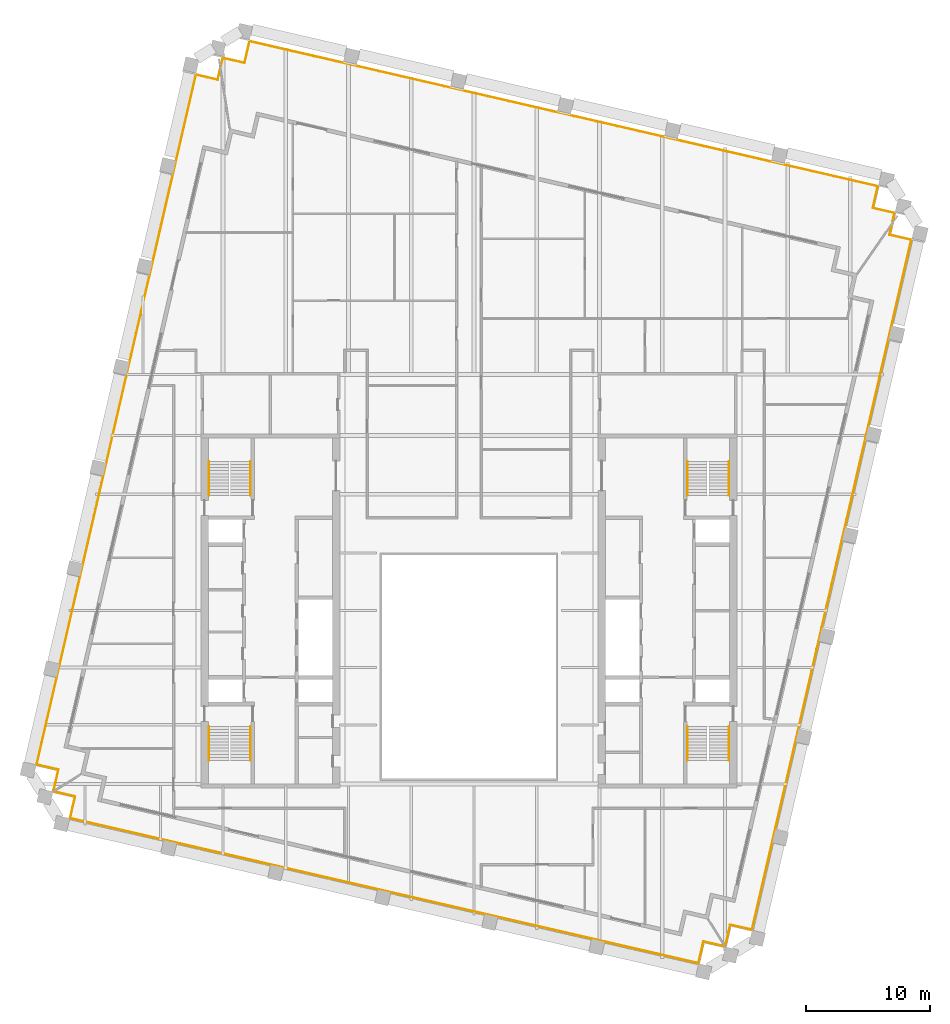
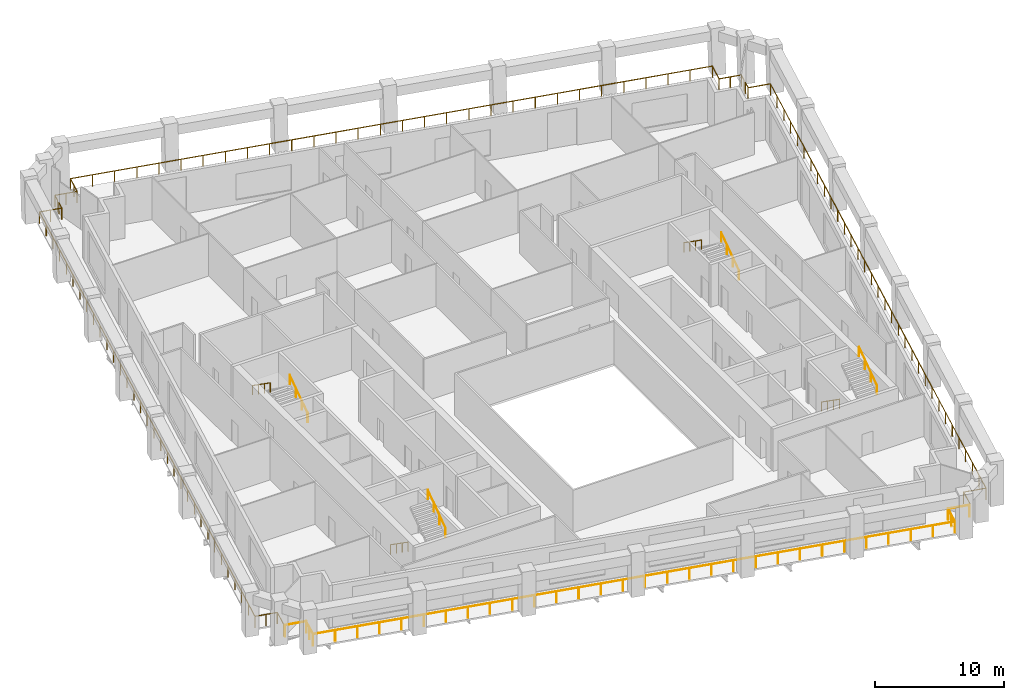
# One storey, part 9 of 9: 12 railings.
"""IFC4 building model written with IfcOpenShell, lengths in metres."""

from ifc_helpers import new_model, si_unit, direction, frame, origin, origin_2d, place, context, subcontext, project, spatial, circle, extrude, material, type_object, element, save


model = new_model("IFC4")

# Units and contexts
model_context = context("Model", 3, precision=1e-05, world=origin(), true_north=direction((0.0, 1.0)))
body_context = subcontext(model_context, "Body", "Model", "MODEL_VIEW")
ifc_project = project(units=[si_unit("LENGTHUNIT", "METRE"), si_unit("AREAUNIT", "SQUARE_METRE"), si_unit("VOLUMEUNIT", "CUBIC_METRE"), si_unit("PLANEANGLEUNIT", "RADIAN"), si_unit("MASSUNIT", "GRAM", prefix="KILO")], contexts=[model_context])

# Site, building, storey
site_placement = place(None, origin())
site = spatial("IfcSite", under=ifc_project, at=site_placement, CompositionType="ELEMENT")
building_placement = place(site_placement, origin())
building = spatial("IfcBuilding", under=site, at=building_placement, Name="Ogive Exchange Tower", CompositionType="ELEMENT")
storey_placement = place(building_placement, frame((0.0, 0.0, 276.60009765625)))
storey = spatial("IfcBuildingStorey", under=building, at=storey_placement, Name="L60", CompositionType="ELEMENT", Elevation=276.60009765625)

# Railings
ifc_material_1 = material(Name="Stainless steel 316", Category="steel")
railing_type_1 = type_object("IfcRailingType", Name="Guard 1100 stainless steel and glass", PredefinedType="GUARDRAIL", material=ifc_material_1)
railing_1_placement = place(storey_placement, frame((20.560546875, -15.527099609375, -0.050048828125)))
element("IfcRailing", 1, at=railing_1_placement, inside=storey, type_object=railing_type_1, Name="Loggia guard 1", PredefinedType="GUARDRAIL", context=body_context, shape_type="SweptSolid", body=[
    extrude(circle(Radius=0.02392578125, at=origin_2d()), frame((0.0, 0.0, 1.076171875), z_axis=(-0.974396013545, 0.224838628327, 0.0), x_axis=(-0.224838628327, -0.974396013545, 0.0)), (0.0, 0.0, 1.0), 1.7080078125),
    extrude(circle(Radius=0.02392578125, at=origin_2d()), frame((-1.664306640625, 0.384033203125, 1.076171875), z_axis=(-0.224879318197, -0.974386623598, 0.0), x_axis=(0.974386623598, -0.224879318197, 0.0)), (0.0, 0.0, 1.0), 1.800048828125),
    extrude(circle(Radius=0.02392578125, at=origin_2d()), frame((-2.069091796875, -1.369873046875, 1.076171875), z_axis=(-0.974370126852, 0.224950785504, 0.0), x_axis=(-0.224950785504, -0.974370126852, 0.0)), (0.0, 0.0, 1.0), 51.960205078125),
    extrude(circle(Radius=0.02392578125, at=origin_2d()), frame((-52.697509765625, 10.318603515625, 1.076171875), z_axis=(0.225008086135, 0.974356896201, 0.0), x_axis=(-0.974356896201, 0.225008086135, 0.0)), (0.0, 0.0, 1.0), 1.800048828125),
    extrude(circle(Radius=0.02392578125, at=origin_2d()), frame((-52.29248046875, 12.072509765625, 1.076171875), z_axis=(-0.974364690374, 0.224974332206, 0.0), x_axis=(-0.224974332206, -0.974364690374, 0.0)), (0.0, 0.0, 1.0), 1.7080078125),
    extrude(circle(Radius=0.02099609375, at=origin_2d()), origin(), (0.0, 0.0, 1.0), 1.052001953125),
    extrude(circle(Radius=0.02099609375, at=origin_2d()), frame((-1.664306640625, 0.384033203125, 0.0)), (0.0, 0.0, 1.0), 1.052001953125),
    extrude(circle(Radius=0.02099609375, at=origin_2d()), frame((-1.86669921875, -0.492919921875, 0.0)), (0.0, 0.0, 1.0), 1.052001953125),
    extrude(circle(Radius=0.02099609375, at=origin_2d()), frame((-2.069091796875, -1.369873046875, 0.0)), (0.0, 0.0, 1.0), 1.052001953125),
    extrude(circle(Radius=0.02099609375, at=origin_2d()), frame((-3.81494140625, -0.966796875, 0.0)), (0.0, 0.0, 1.0), 1.052001953125),
    extrude(circle(Radius=0.02099609375, at=origin_2d()), frame((-5.560791015625, -0.563720703125, 0.0)), (0.0, 0.0, 1.0), 1.052001953125),
    extrude(circle(Radius=0.02099609375, at=origin_2d()), frame((-7.306396484375, -0.16064453125, 0.0)), (0.0, 0.0, 1.0), 1.052001953125),
    extrude(circle(Radius=0.02099609375, at=origin_2d()), frame((-9.05224609375, 0.242431640625, 0.0)), (0.0, 0.0, 1.0), 1.052001953125),
    extrude(circle(Radius=0.02099609375, at=origin_2d()), frame((-10.798095703125, 0.645263671875, 0.0)), (0.0, 0.0, 1.0), 1.052001953125),
    extrude(circle(Radius=0.02099609375, at=origin_2d()), frame((-12.5439453125, 1.04833984375, 0.0)), (0.0, 0.0, 1.0), 1.052001953125),
    extrude(circle(Radius=0.02099609375, at=origin_2d()), frame((-14.289794921875, 1.451416015625, 0.0)), (0.0, 0.0, 1.0), 1.052001953125),
    extrude(circle(Radius=0.02099609375, at=origin_2d()), frame((-16.03564453125, 1.8544921875, 0.0)), (0.0, 0.0, 1.0), 1.052001953125),
    extrude(circle(Radius=0.02099609375, at=origin_2d()), frame((-17.78125, 2.257568359375, 0.0)), (0.0, 0.0, 1.0), 1.052001953125),
    extrude(circle(Radius=0.02099609375, at=origin_2d()), frame((-19.527099609375, 2.66064453125, 0.0)), (0.0, 0.0, 1.0), 1.052001953125),
    extrude(circle(Radius=0.02099609375, at=origin_2d()), frame((-21.27294921875, 3.063720703125, 0.0)), (0.0, 0.0, 1.0), 1.052001953125),
    extrude(circle(Radius=0.02099609375, at=origin_2d()), frame((-23.018798828125, 3.466796875, 0.0)), (0.0, 0.0, 1.0), 1.052001953125),
    extrude(circle(Radius=0.02099609375, at=origin_2d()), frame((-24.7646484375, 3.869873046875, 0.0)), (0.0, 0.0, 1.0), 1.052001953125),
    extrude(circle(Radius=0.02099609375, at=origin_2d()), frame((-26.510498046875, 4.27294921875, 0.0)), (0.0, 0.0, 1.0), 1.052001953125),
    extrude(circle(Radius=0.02099609375, at=origin_2d()), frame((-28.256103515625, 4.67578125, 0.0)), (0.0, 0.0, 1.0), 1.052001953125),
    extrude(circle(Radius=0.02099609375, at=origin_2d()), frame((-30.001953125, 5.078857421875, 0.0)), (0.0, 0.0, 1.0), 1.052001953125),
    extrude(circle(Radius=0.02099609375, at=origin_2d()), frame((-31.747802734375, 5.48193359375, 0.0)), (0.0, 0.0, 1.0), 1.052001953125),
    extrude(circle(Radius=0.02099609375, at=origin_2d()), frame((-33.49365234375, 5.885009765625, 0.0)), (0.0, 0.0, 1.0), 1.052001953125),
    extrude(circle(Radius=0.02099609375, at=origin_2d()), frame((-35.239501953125, 6.2880859375, 0.0)), (0.0, 0.0, 1.0), 1.052001953125),
    extrude(circle(Radius=0.02099609375, at=origin_2d()), frame((-36.9853515625, 6.691162109375, 0.0)), (0.0, 0.0, 1.0), 1.052001953125),
    extrude(circle(Radius=0.02099609375, at=origin_2d()), frame((-38.73095703125, 7.09423828125, 0.0)), (0.0, 0.0, 1.0), 1.052001953125),
    extrude(circle(Radius=0.02099609375, at=origin_2d()), frame((-40.476806640625, 7.497314453125, 0.0)), (0.0, 0.0, 1.0), 1.052001953125),
    extrude(circle(Radius=0.02099609375, at=origin_2d()), frame((-42.22265625, 7.900390625, 0.0)), (0.0, 0.0, 1.0), 1.052001953125),
    extrude(circle(Radius=0.02099609375, at=origin_2d()), frame((-43.968505859375, 8.303466796875, 0.0)), (0.0, 0.0, 1.0), 1.052001953125),
    extrude(circle(Radius=0.02099609375, at=origin_2d()), frame((-45.71435546875, 8.706298828125, 0.0)), (0.0, 0.0, 1.0), 1.052001953125),
    extrude(circle(Radius=0.02099609375, at=origin_2d()), frame((-47.460205078125, 9.109375, 0.0)), (0.0, 0.0, 1.0), 1.052001953125),
    extrude(circle(Radius=0.02099609375, at=origin_2d()), frame((-49.205810546875, 9.512451171875, 0.0)), (0.0, 0.0, 1.0), 1.052001953125),
    extrude(circle(Radius=0.02099609375, at=origin_2d()), frame((-50.95166015625, 9.91552734375, 0.0)), (0.0, 0.0, 1.0), 1.052001953125),
    extrude(circle(Radius=0.02099609375, at=origin_2d()), frame((-52.697509765625, 10.318603515625, 0.0)), (0.0, 0.0, 1.0), 1.052001953125),
    extrude(circle(Radius=0.02099609375, at=origin_2d()), frame((-52.4951171875, 11.195556640625, 0.0)), (0.0, 0.0, 1.0), 1.052001953125),
    extrude(circle(Radius=0.02099609375, at=origin_2d()), frame((-52.29248046875, 12.072509765625, 0.0)), (0.0, 0.0, 1.0), 1.052001953125),
    extrude(circle(Radius=0.02099609375, at=origin_2d()), frame((-53.956787109375, 12.456787109375, 0.0)), (0.0, 0.0, 1.0), 1.052001953125),
])
railing_2_placement = place(storey_placement, frame((-33.465087890625, -2.960205078125, -0.050048828125)))
element("IfcRailing", 2, at=railing_2_placement, inside=storey, type_object=railing_type_1, Name="Loggia guard 2", PredefinedType="GUARDRAIL", context=body_context, shape_type="SweptSolid", body=[
    extrude(circle(Radius=0.02392578125, at=origin_2d()), frame((0.0, 0.0, 1.076171875), z_axis=(0.224974332206, 0.974364690374, 0.0), x_axis=(-0.974364690374, 0.224974332206, 0.0)), (0.0, 0.0, 1.0), 1.7080078125),
    extrude(circle(Radius=0.02392578125, at=origin_2d()), frame((0.38427734375, 1.664306640625, 1.076171875), z_axis=(-0.974356896201, 0.225008086135, 0.0), x_axis=(-0.225008086135, -0.974356896201, 0.0)), (0.0, 0.0, 1.0), 1.800048828125),
    extrude(circle(Radius=0.02392578125, at=origin_2d()), frame((-1.36962890625, 2.0693359375, 1.076171875), z_axis=(0.224950439219, 0.974370206798, 0.0), x_axis=(-0.974370206798, 0.224950439219, 0.0)), (0.0, 0.0, 1.0), 57.06005859375),
    extrude(circle(Radius=0.02392578125, at=origin_2d()), frame((11.466064453125, 57.6669921875, 1.076171875), z_axis=(0.974356896201, -0.225008086135, 0.0), x_axis=(0.225008086135, 0.974356896201, 0.0)), (0.0, 0.0, 1.0), 1.800048828125),
    extrude(circle(Radius=0.02392578125, at=origin_2d()), frame((13.219970703125, 57.261962890625, 1.076171875), z_axis=(0.224813190674, 0.974401882849, 0.0), x_axis=(-0.974401882849, 0.224813190674, 0.0)), (0.0, 0.0, 1.0), 0.77001953125),
    extrude(circle(Radius=0.02099609375, at=origin_2d()), origin(), (0.0, 0.0, 1.0), 1.052001953125),
    extrude(circle(Radius=0.02099609375, at=origin_2d()), frame((0.38427734375, 1.664306640625, 0.0)), (0.0, 0.0, 1.0), 1.052001953125),
    extrude(circle(Radius=0.02099609375, at=origin_2d()), frame((-0.49267578125, 1.86669921875, 0.0)), (0.0, 0.0, 1.0), 1.052001953125),
    extrude(circle(Radius=0.02099609375, at=origin_2d()), frame((-1.36962890625, 2.0693359375, 0.0)), (0.0, 0.0, 1.0), 1.052001953125),
    extrude(circle(Radius=0.02099609375, at=origin_2d()), frame((-0.968505859375, 3.806640625, 0.0)), (0.0, 0.0, 1.0), 1.052001953125),
    extrude(circle(Radius=0.02099609375, at=origin_2d()), frame((-0.5673828125, 5.544189453125, 0.0)), (0.0, 0.0, 1.0), 1.052001953125),
    extrude(circle(Radius=0.02099609375, at=origin_2d()), frame((-0.166259765625, 7.28173828125, 0.0)), (0.0, 0.0, 1.0), 1.052001953125),
    extrude(circle(Radius=0.02099609375, at=origin_2d()), frame((0.23486328125, 9.01904296875, 0.0)), (0.0, 0.0, 1.0), 1.052001953125),
    extrude(circle(Radius=0.02099609375, at=origin_2d()), frame((0.635986328125, 10.75634765625, 0.0)), (0.0, 0.0, 1.0), 1.052001953125),
    extrude(circle(Radius=0.02099609375, at=origin_2d()), frame((1.037109375, 12.493896484375, 0.0)), (0.0, 0.0, 1.0), 1.052001953125),
    extrude(circle(Radius=0.02099609375, at=origin_2d()), frame((1.438232421875, 14.2314453125, 0.0)), (0.0, 0.0, 1.0), 1.052001953125),
    extrude(circle(Radius=0.02099609375, at=origin_2d()), frame((1.83935546875, 15.96875, 0.0)), (0.0, 0.0, 1.0), 1.052001953125),
    extrude(circle(Radius=0.02099609375, at=origin_2d()), frame((2.240478515625, 17.7060546875, 0.0)), (0.0, 0.0, 1.0), 1.052001953125),
    extrude(circle(Radius=0.02099609375, at=origin_2d()), frame((2.6416015625, 19.443603515625, 0.0)), (0.0, 0.0, 1.0), 1.052001953125),
    extrude(circle(Radius=0.02099609375, at=origin_2d()), frame((3.042724609375, 21.18115234375, 0.0)), (0.0, 0.0, 1.0), 1.052001953125),
    extrude(circle(Radius=0.02099609375, at=origin_2d()), frame((3.44384765625, 22.91845703125, 0.0)), (0.0, 0.0, 1.0), 1.052001953125),
    extrude(circle(Radius=0.02099609375, at=origin_2d()), frame((3.844970703125, 24.65576171875, 0.0)), (0.0, 0.0, 1.0), 1.052001953125),
    extrude(circle(Radius=0.02099609375, at=origin_2d()), frame((4.24609375, 26.393310546875, 0.0)), (0.0, 0.0, 1.0), 1.052001953125),
    extrude(circle(Radius=0.02099609375, at=origin_2d()), frame((4.647216796875, 28.130859375, 0.0)), (0.0, 0.0, 1.0), 1.052001953125),
    extrude(circle(Radius=0.02099609375, at=origin_2d()), frame((5.04833984375, 29.8681640625, 0.0)), (0.0, 0.0, 1.0), 1.052001953125),
    extrude(circle(Radius=0.02099609375, at=origin_2d()), frame((5.44921875, 31.60546875, 0.0)), (0.0, 0.0, 1.0), 1.052001953125),
    extrude(circle(Radius=0.02099609375, at=origin_2d()), frame((5.850341796875, 33.343017578125, 0.0)), (0.0, 0.0, 1.0), 1.052001953125),
    extrude(circle(Radius=0.02099609375, at=origin_2d()), frame((6.25146484375, 35.08056640625, 0.0)), (0.0, 0.0, 1.0), 1.052001953125),
    extrude(circle(Radius=0.02099609375, at=origin_2d()), frame((6.652587890625, 36.81787109375, 0.0)), (0.0, 0.0, 1.0), 1.052001953125),
    extrude(circle(Radius=0.02099609375, at=origin_2d()), frame((7.0537109375, 38.55517578125, 0.0)), (0.0, 0.0, 1.0), 1.052001953125),
    extrude(circle(Radius=0.02099609375, at=origin_2d()), frame((7.454833984375, 40.292724609375, 0.0)), (0.0, 0.0, 1.0), 1.052001953125),
    extrude(circle(Radius=0.02099609375, at=origin_2d()), frame((7.85595703125, 42.0302734375, 0.0)), (0.0, 0.0, 1.0), 1.052001953125),
    extrude(circle(Radius=0.02099609375, at=origin_2d()), frame((8.257080078125, 43.767578125, 0.0)), (0.0, 0.0, 1.0), 1.052001953125),
    extrude(circle(Radius=0.02099609375, at=origin_2d()), frame((8.658203125, 45.5048828125, 0.0)), (0.0, 0.0, 1.0), 1.052001953125),
    extrude(circle(Radius=0.02099609375, at=origin_2d()), frame((9.059326171875, 47.242431640625, 0.0)), (0.0, 0.0, 1.0), 1.052001953125),
    extrude(circle(Radius=0.02099609375, at=origin_2d()), frame((9.46044921875, 48.97998046875, 0.0)), (0.0, 0.0, 1.0), 1.052001953125),
    extrude(circle(Radius=0.02099609375, at=origin_2d()), frame((9.861572265625, 50.71728515625, 0.0)), (0.0, 0.0, 1.0), 1.052001953125),
    extrude(circle(Radius=0.02099609375, at=origin_2d()), frame((10.2626953125, 52.45458984375, 0.0)), (0.0, 0.0, 1.0), 1.052001953125),
    extrude(circle(Radius=0.02099609375, at=origin_2d()), frame((10.663818359375, 54.192138671875, 0.0)), (0.0, 0.0, 1.0), 1.052001953125),
    extrude(circle(Radius=0.02099609375, at=origin_2d()), frame((11.06494140625, 55.9296875, 0.0)), (0.0, 0.0, 1.0), 1.052001953125),
    extrude(circle(Radius=0.02099609375, at=origin_2d()), frame((11.466064453125, 57.6669921875, 0.0)), (0.0, 0.0, 1.0), 1.052001953125),
    extrude(circle(Radius=0.02099609375, at=origin_2d()), frame((12.343017578125, 57.46435546875, 0.0)), (0.0, 0.0, 1.0), 1.052001953125),
    extrude(circle(Radius=0.02099609375, at=origin_2d()), frame((13.219970703125, 57.261962890625, 0.0)), (0.0, 0.0, 1.0), 1.052001953125),
    extrude(circle(Radius=0.02099609375, at=origin_2d()), frame((13.39306640625, 58.01220703125, 0.0)), (0.0, 0.0, 1.0), 1.052001953125),
])
railing_3_placement = place(storey_placement, frame((-19.993408203125, 55.39306640625, -0.050048828125)))
element("IfcRailing", 3, at=railing_3_placement, inside=storey, type_object=railing_type_1, Name="Loggia guard 3", PredefinedType="GUARDRAIL", context=body_context, shape_type="SweptSolid", body=[
    extrude(circle(Radius=0.02392578125, at=origin_2d()), frame((0.0, 0.0, 1.076171875), z_axis=(0.225095474609, 0.974336711466, 0.0), x_axis=(-0.974336711466, 0.225095474609, 0.0)), (0.0, 0.0, 1.0), 0.679931640625),
    extrude(circle(Radius=0.02392578125, at=origin_2d()), frame((0.153076171875, 0.66259765625, 1.076171875), z_axis=(0.974356896201, -0.225008086135, 0.0), x_axis=(0.225008086135, 0.974356896201, 0.0)), (0.0, 0.0, 1.0), 1.800048828125),
    extrude(circle(Radius=0.02392578125, at=origin_2d()), frame((1.906982421875, 0.257568359375, 1.076171875), z_axis=(0.225008086135, 0.974356896201, 0.0), x_axis=(-0.974356896201, 0.225008086135, 0.0)), (0.0, 0.0, 1.0), 1.800048828125),
    extrude(circle(Radius=0.02392578125, at=origin_2d()), frame((2.31201171875, 2.011474609375, 1.076171875), z_axis=(0.974369889087, -0.224951815376, 0.0), x_axis=(0.224951815376, 0.974369889087, 0.0)), (0.0, 0.0, 1.0), 51.9599609375),
    extrude(circle(Radius=0.02392578125, at=origin_2d()), frame((52.940185546875, -9.677001953125, 1.076171875), z_axis=(-0.22503782496, -0.974350028141, 0.0), x_axis=(0.974350028141, -0.22503782496, 0.0)), (0.0, 0.0, 1.0), 1.7998046875),
    extrude(circle(Radius=0.02392578125, at=origin_2d()), frame((52.53515625, -11.4306640625, 1.076171875), z_axis=(0.974356896201, -0.225008086135, 0.0), x_axis=(0.225008086135, 0.974356896201, 0.0)), (0.0, 0.0, 1.0), 1.800048828125),
    extrude(circle(Radius=0.02392578125, at=origin_2d()), frame((54.2890625, -11.835693359375, 1.076171875), z_axis=(-0.225095474609, -0.974336711466, 0.0), x_axis=(0.974336711466, -0.225095474609, 0.0)), (0.0, 0.0, 1.0), 0.679931640625),
    extrude(circle(Radius=0.02099609375, at=origin_2d()), origin(), (0.0, 0.0, 1.0), 1.052001953125),
    extrude(circle(Radius=0.02099609375, at=origin_2d()), frame((0.153076171875, 0.66259765625, 0.0)), (0.0, 0.0, 1.0), 1.052001953125),
    extrude(circle(Radius=0.02099609375, at=origin_2d()), frame((1.030029296875, 0.4599609375, 0.0)), (0.0, 0.0, 1.0), 1.052001953125),
    extrude(circle(Radius=0.02099609375, at=origin_2d()), frame((1.906982421875, 0.257568359375, 0.0)), (0.0, 0.0, 1.0), 1.052001953125),
    extrude(circle(Radius=0.02099609375, at=origin_2d()), frame((2.109375, 1.134521484375, 0.0)), (0.0, 0.0, 1.0), 1.052001953125),
    extrude(circle(Radius=0.02099609375, at=origin_2d()), frame((2.31201171875, 2.011474609375, 0.0)), (0.0, 0.0, 1.0), 1.052001953125),
    extrude(circle(Radius=0.02099609375, at=origin_2d()), frame((4.057861328125, 1.6083984375, 0.0)), (0.0, 0.0, 1.0), 1.052001953125),
    extrude(circle(Radius=0.02099609375, at=origin_2d()), frame((5.8037109375, 1.205322265625, 0.0)), (0.0, 0.0, 1.0), 1.052001953125),
    extrude(circle(Radius=0.02099609375, at=origin_2d()), frame((7.54931640625, 0.80224609375, 0.0)), (0.0, 0.0, 1.0), 1.052001953125),
    extrude(circle(Radius=0.02099609375, at=origin_2d()), frame((9.295166015625, 0.399169921875, 0.0)), (0.0, 0.0, 1.0), 1.052001953125),
    extrude(circle(Radius=0.02099609375, at=origin_2d()), frame((11.041015625, -0.003662109375, 0.0)), (0.0, 0.0, 1.0), 1.052001953125),
    extrude(circle(Radius=0.02099609375, at=origin_2d()), frame((12.786865234375, -0.40673828125, 0.0)), (0.0, 0.0, 1.0), 1.052001953125),
    extrude(circle(Radius=0.02099609375, at=origin_2d()), frame((14.53271484375, -0.809814453125, 0.0)), (0.0, 0.0, 1.0), 1.052001953125),
    extrude(circle(Radius=0.02099609375, at=origin_2d()), frame((16.2783203125, -1.212890625, 0.0)), (0.0, 0.0, 1.0), 1.052001953125),
    extrude(circle(Radius=0.02099609375, at=origin_2d()), frame((18.024169921875, -1.615966796875, 0.0)), (0.0, 0.0, 1.0), 1.052001953125),
    extrude(circle(Radius=0.02099609375, at=origin_2d()), frame((19.77001953125, -2.01904296875, 0.0)), (0.0, 0.0, 1.0), 1.052001953125),
    extrude(circle(Radius=0.02099609375, at=origin_2d()), frame((21.515869140625, -2.422119140625, 0.0)), (0.0, 0.0, 1.0), 1.052001953125),
    extrude(circle(Radius=0.02099609375, at=origin_2d()), frame((23.26171875, -2.8251953125, 0.0)), (0.0, 0.0, 1.0), 1.052001953125),
    extrude(circle(Radius=0.02099609375, at=origin_2d()), frame((25.00732421875, -3.228271484375, 0.0)), (0.0, 0.0, 1.0), 1.052001953125),
    extrude(circle(Radius=0.02099609375, at=origin_2d()), frame((26.753173828125, -3.63134765625, 0.0)), (0.0, 0.0, 1.0), 1.052001953125),
    extrude(circle(Radius=0.02099609375, at=origin_2d()), frame((28.4990234375, -4.0341796875, 0.0)), (0.0, 0.0, 1.0), 1.052001953125),
    extrude(circle(Radius=0.02099609375, at=origin_2d()), frame((30.244873046875, -4.437255859375, 0.0)), (0.0, 0.0, 1.0), 1.052001953125),
    extrude(circle(Radius=0.02099609375, at=origin_2d()), frame((31.990478515625, -4.84033203125, 0.0)), (0.0, 0.0, 1.0), 1.052001953125),
    extrude(circle(Radius=0.02099609375, at=origin_2d()), frame((33.736328125, -5.243408203125, 0.0)), (0.0, 0.0, 1.0), 1.052001953125),
    extrude(circle(Radius=0.02099609375, at=origin_2d()), frame((35.482177734375, -5.646484375, 0.0)), (0.0, 0.0, 1.0), 1.052001953125),
    extrude(circle(Radius=0.02099609375, at=origin_2d()), frame((37.22802734375, -6.049560546875, 0.0)), (0.0, 0.0, 1.0), 1.052001953125),
    extrude(circle(Radius=0.02099609375, at=origin_2d()), frame((38.973876953125, -6.45263671875, 0.0)), (0.0, 0.0, 1.0), 1.052001953125),
    extrude(circle(Radius=0.02099609375, at=origin_2d()), frame((40.719482421875, -6.855712890625, 0.0)), (0.0, 0.0, 1.0), 1.052001953125),
    extrude(circle(Radius=0.02099609375, at=origin_2d()), frame((42.46533203125, -7.2587890625, 0.0)), (0.0, 0.0, 1.0), 1.052001953125),
    extrude(circle(Radius=0.02099609375, at=origin_2d()), frame((44.211181640625, -7.661865234375, 0.0)), (0.0, 0.0, 1.0), 1.052001953125),
    extrude(circle(Radius=0.02099609375, at=origin_2d()), frame((45.95703125, -8.064697265625, 0.0)), (0.0, 0.0, 1.0), 1.052001953125),
    extrude(circle(Radius=0.02099609375, at=origin_2d()), frame((47.702880859375, -8.4677734375, 0.0)), (0.0, 0.0, 1.0), 1.052001953125),
    extrude(circle(Radius=0.02099609375, at=origin_2d()), frame((49.448486328125, -8.870849609375, 0.0)), (0.0, 0.0, 1.0), 1.052001953125),
    extrude(circle(Radius=0.02099609375, at=origin_2d()), frame((51.1943359375, -9.27392578125, 0.0)), (0.0, 0.0, 1.0), 1.052001953125),
    extrude(circle(Radius=0.02099609375, at=origin_2d()), frame((52.940185546875, -9.677001953125, 0.0)), (0.0, 0.0, 1.0), 1.052001953125),
    extrude(circle(Radius=0.02099609375, at=origin_2d()), frame((52.53515625, -11.4306640625, 0.0)), (0.0, 0.0, 1.0), 1.052001953125),
    extrude(circle(Radius=0.02099609375, at=origin_2d()), frame((53.412109375, -11.63330078125, 0.0)), (0.0, 0.0, 1.0), 1.052001953125),
    extrude(circle(Radius=0.02099609375, at=origin_2d()), frame((54.2890625, -11.835693359375, 0.0)), (0.0, 0.0, 1.0), 1.052001953125),
    extrude(circle(Radius=0.02099609375, at=origin_2d()), frame((54.135986328125, -12.498291015625, 0.0)), (0.0, 0.0, 1.0), 1.052001953125),
])
railing_4_placement = place(storey_placement, frame((34.06396484375, 42.5537109375, -0.050048828125)))
element("IfcRailing", 4, at=railing_4_placement, inside=storey, type_object=railing_type_1, Name="Loggia guard 4", PredefinedType="GUARDRAIL", context=body_context, shape_type="SweptSolid", body=[
    extrude(circle(Radius=0.02392578125, at=origin_2d()), frame((0.0, 0.0, 1.076171875), z_axis=(-0.224813190674, -0.974401882849, 0.0), x_axis=(0.974401882849, -0.224813190674, 0.0)), (0.0, 0.0, 1.0), 0.77001953125),
    extrude(circle(Radius=0.02392578125, at=origin_2d()), frame((-0.173095703125, -0.750244140625, 1.076171875), z_axis=(0.974379763188, -0.224909041816, 0.0), x_axis=(0.224909041816, 0.974379763188, 0.0)), (0.0, 0.0, 1.0), 1.7998046875),
    extrude(circle(Radius=0.02392578125, at=origin_2d()), frame((1.58056640625, -1.155029296875, 1.076171875), z_axis=(-0.224950439219, -0.974370206798, 0.0), x_axis=(0.974370206798, -0.224950439219, 0.0)), (0.0, 0.0, 1.0), 57.06005859375),
    extrude(circle(Radius=0.02392578125, at=origin_2d()), frame((-11.255126953125, -56.752685546875, 1.076171875), z_axis=(-0.974379763188, 0.224909041816, 0.0), x_axis=(-0.224909041816, -0.974379763188, 0.0)), (0.0, 0.0, 1.0), 1.7998046875),
    extrude(circle(Radius=0.02392578125, at=origin_2d()), frame((-13.0087890625, -56.347900390625, 1.076171875), z_axis=(-0.224974332206, -0.974364690374, 0.0), x_axis=(0.974364690374, -0.224974332206, 0.0)), (0.0, 0.0, 1.0), 1.7080078125),
    extrude(circle(Radius=0.02099609375, at=origin_2d()), origin(), (0.0, 0.0, 1.0), 1.052001953125),
    extrude(circle(Radius=0.02099609375, at=origin_2d()), frame((-0.173095703125, -0.750244140625, 0.0)), (0.0, 0.0, 1.0), 1.052001953125),
    extrude(circle(Radius=0.02099609375, at=origin_2d()), frame((1.58056640625, -1.155029296875, 0.0)), (0.0, 0.0, 1.0), 1.052001953125),
    extrude(circle(Radius=0.02099609375, at=origin_2d()), frame((1.179443359375, -2.892578125, 0.0)), (0.0, 0.0, 1.0), 1.052001953125),
    extrude(circle(Radius=0.02099609375, at=origin_2d()), frame((0.7783203125, -4.6298828125, 0.0)), (0.0, 0.0, 1.0), 1.052001953125),
    extrude(circle(Radius=0.02099609375, at=origin_2d()), frame((0.377197265625, -6.3671875, 0.0)), (0.0, 0.0, 1.0), 1.052001953125),
    extrude(circle(Radius=0.02099609375, at=origin_2d()), frame((-0.02392578125, -8.104736328125, 0.0)), (0.0, 0.0, 1.0), 1.052001953125),
    extrude(circle(Radius=0.02099609375, at=origin_2d()), frame((-0.425048828125, -9.84228515625, 0.0)), (0.0, 0.0, 1.0), 1.052001953125),
    extrude(circle(Radius=0.02099609375, at=origin_2d()), frame((-0.826171875, -11.57958984375, 0.0)), (0.0, 0.0, 1.0), 1.052001953125),
    extrude(circle(Radius=0.02099609375, at=origin_2d()), frame((-1.227294921875, -13.31689453125, 0.0)), (0.0, 0.0, 1.0), 1.052001953125),
    extrude(circle(Radius=0.02099609375, at=origin_2d()), frame((-1.62841796875, -15.054443359375, 0.0)), (0.0, 0.0, 1.0), 1.052001953125),
    extrude(circle(Radius=0.02099609375, at=origin_2d()), frame((-2.029541015625, -16.7919921875, 0.0)), (0.0, 0.0, 1.0), 1.052001953125),
    extrude(circle(Radius=0.02099609375, at=origin_2d()), frame((-2.4306640625, -18.529296875, 0.0)), (0.0, 0.0, 1.0), 1.052001953125),
    extrude(circle(Radius=0.02099609375, at=origin_2d()), frame((-2.831787109375, -20.2666015625, 0.0)), (0.0, 0.0, 1.0), 1.052001953125),
    extrude(circle(Radius=0.02099609375, at=origin_2d()), frame((-3.23291015625, -22.004150390625, 0.0)), (0.0, 0.0, 1.0), 1.052001953125),
    extrude(circle(Radius=0.02099609375, at=origin_2d()), frame((-3.634033203125, -23.74169921875, 0.0)), (0.0, 0.0, 1.0), 1.052001953125),
    extrude(circle(Radius=0.02099609375, at=origin_2d()), frame((-4.03515625, -25.47900390625, 0.0)), (0.0, 0.0, 1.0), 1.052001953125),
    extrude(circle(Radius=0.02099609375, at=origin_2d()), frame((-4.436279296875, -27.21630859375, 0.0)), (0.0, 0.0, 1.0), 1.052001953125),
    extrude(circle(Radius=0.02099609375, at=origin_2d()), frame((-4.83740234375, -28.953857421875, 0.0)), (0.0, 0.0, 1.0), 1.052001953125),
    extrude(circle(Radius=0.02099609375, at=origin_2d()), frame((-5.23828125, -30.69140625, 0.0)), (0.0, 0.0, 1.0), 1.052001953125),
    extrude(circle(Radius=0.02099609375, at=origin_2d()), frame((-5.639404296875, -32.4287109375, 0.0)), (0.0, 0.0, 1.0), 1.052001953125),
    extrude(circle(Radius=0.02099609375, at=origin_2d()), frame((-6.04052734375, -34.166015625, 0.0)), (0.0, 0.0, 1.0), 1.052001953125),
    extrude(circle(Radius=0.02099609375, at=origin_2d()), frame((-6.441650390625, -35.903564453125, 0.0)), (0.0, 0.0, 1.0), 1.052001953125),
    extrude(circle(Radius=0.02099609375, at=origin_2d()), frame((-6.8427734375, -37.64111328125, 0.0)), (0.0, 0.0, 1.0), 1.052001953125),
    extrude(circle(Radius=0.02099609375, at=origin_2d()), frame((-7.243896484375, -39.37841796875, 0.0)), (0.0, 0.0, 1.0), 1.052001953125),
    extrude(circle(Radius=0.02099609375, at=origin_2d()), frame((-7.64501953125, -41.11572265625, 0.0)), (0.0, 0.0, 1.0), 1.052001953125),
    extrude(circle(Radius=0.02099609375, at=origin_2d()), frame((-8.046142578125, -42.853271484375, 0.0)), (0.0, 0.0, 1.0), 1.052001953125),
    extrude(circle(Radius=0.02099609375, at=origin_2d()), frame((-8.447265625, -44.5908203125, 0.0)), (0.0, 0.0, 1.0), 1.052001953125),
    extrude(circle(Radius=0.02099609375, at=origin_2d()), frame((-8.848388671875, -46.328125, 0.0)), (0.0, 0.0, 1.0), 1.052001953125),
    extrude(circle(Radius=0.02099609375, at=origin_2d()), frame((-9.24951171875, -48.0654296875, 0.0)), (0.0, 0.0, 1.0), 1.052001953125),
    extrude(circle(Radius=0.02099609375, at=origin_2d()), frame((-9.650634765625, -49.802978515625, 0.0)), (0.0, 0.0, 1.0), 1.052001953125),
    extrude(circle(Radius=0.02099609375, at=origin_2d()), frame((-10.0517578125, -51.54052734375, 0.0)), (0.0, 0.0, 1.0), 1.052001953125),
    extrude(circle(Radius=0.02099609375, at=origin_2d()), frame((-10.452880859375, -53.27783203125, 0.0)), (0.0, 0.0, 1.0), 1.052001953125),
    extrude(circle(Radius=0.02099609375, at=origin_2d()), frame((-10.85400390625, -55.01513671875, 0.0)), (0.0, 0.0, 1.0), 1.052001953125),
    extrude(circle(Radius=0.02099609375, at=origin_2d()), frame((-11.255126953125, -56.752685546875, 0.0)), (0.0, 0.0, 1.0), 1.052001953125),
    extrude(circle(Radius=0.02099609375, at=origin_2d()), frame((-13.0087890625, -56.347900390625, 0.0)), (0.0, 0.0, 1.0), 1.052001953125),
    extrude(circle(Radius=0.02099609375, at=origin_2d()), frame((-13.39306640625, -58.01220703125, 0.0)), (0.0, 0.0, 1.0), 1.052001953125),
])
ifc_material_2 = material(Name="Stainless steel", Category="steel")
railing_type_2 = type_object("IfcRailingType", Name="Stair handrail 900", PredefinedType="HANDRAIL", material=ifc_material_2)
railing_5_placement = place(storey_placement, frame((-20.949951171875, 2.199951171875, 0.1748046875)))
element("IfcRailing", 5, at=railing_5_placement, inside=storey, type_object=railing_type_2, Name="L60 ST1 stair handrail 1", PredefinedType="HANDRAIL", context=body_context, shape_type="SweptSolid", body=[
    extrude(circle(Radius=0.02392578125, at=origin_2d()), frame((0.0, 0.0, 0.8759765625), z_axis=(0.0, -0.819225086817, 0.573472106672), x_axis=(1.0, 0.0, 0.0)), (0.0, 0.0, 1.0), 3.35693359375),
    extrude(circle(Radius=0.02099609375, at=origin_2d()), origin(), (0.0, 0.0, 1.0), 0.851806640625),
    extrude(circle(Radius=0.02099609375, at=origin_2d()), frame((0.0, -0.916748046875, 0.6416015625)), (0.0, 0.0, 1.0), 0.851806640625),
    extrude(circle(Radius=0.02099609375, at=origin_2d()), frame((0.0, -1.833251953125, 1.283447265625)), (0.0, 0.0, 1.0), 0.851806640625),
    extrude(circle(Radius=0.02099609375, at=origin_2d()), frame((0.0, -2.75, 1.925048828125)), (0.0, 0.0, 1.0), 0.851806640625),
])
for number, where, name in (
    (6, (-17.60009765625, -0.550048828125, 2.27490234375), "L60 ST1 stair handrail 2"),
    (7, (-17.60009765625, 20.800048828125, 0.1748046875), "L60 ST2 stair handrail 1"),
):
    element("IfcRailing", number, at=place(storey_placement, frame(where)), inside=storey, type_object=railing_type_2, Name=name, PredefinedType="HANDRAIL", context=body_context, shape_type="SweptSolid", body=[
        extrude(circle(Radius=0.02392578125, at=origin_2d()), frame((0.0, 0.0, 0.8759765625), z_axis=(0.0, 0.819225086817, 0.573472106672), x_axis=(-1.0, 0.0, 0.0)), (0.0, 0.0, 1.0), 3.35693359375),
        extrude(circle(Radius=0.02099609375, at=origin_2d()), origin(), (0.0, 0.0, 1.0), 0.851806640625),
        extrude(circle(Radius=0.02099609375, at=origin_2d()), frame((0.0, 0.916748046875, 0.6416015625)), (0.0, 0.0, 1.0), 0.851806640625),
        extrude(circle(Radius=0.02099609375, at=origin_2d()), frame((0.0, 1.833251953125, 1.283447265625)), (0.0, 0.0, 1.0), 0.851806640625),
        extrude(circle(Radius=0.02099609375, at=origin_2d()), frame((0.0, 2.75, 1.925048828125)), (0.0, 0.0, 1.0), 0.851806640625),
    ])
for number, where, name in (
    (8, (-20.949951171875, 23.550048828125, 2.27490234375), "L60 ST2 stair handrail 2"),
    (9, (17.60009765625, 2.199951171875, 0.1748046875), "L60 ST3 stair handrail 1"),
):
    element("IfcRailing", number, at=place(storey_placement, frame(where)), inside=storey, type_object=railing_type_2, Name=name, PredefinedType="HANDRAIL", context=body_context, shape_type="SweptSolid", body=[
        extrude(circle(Radius=0.02392578125, at=origin_2d()), frame((0.0, 0.0, 0.8759765625), z_axis=(0.0, -0.819225086817, 0.573472106672), x_axis=(1.0, 0.0, 0.0)), (0.0, 0.0, 1.0), 3.35693359375),
        extrude(circle(Radius=0.02099609375, at=origin_2d()), origin(), (0.0, 0.0, 1.0), 0.851806640625),
        extrude(circle(Radius=0.02099609375, at=origin_2d()), frame((0.0, -0.916748046875, 0.6416015625)), (0.0, 0.0, 1.0), 0.851806640625),
        extrude(circle(Radius=0.02099609375, at=origin_2d()), frame((0.0, -1.833251953125, 1.283447265625)), (0.0, 0.0, 1.0), 0.851806640625),
        extrude(circle(Radius=0.02099609375, at=origin_2d()), frame((0.0, -2.75, 1.925048828125)), (0.0, 0.0, 1.0), 0.851806640625),
    ])
for number, where, name in (
    (10, (20.949951171875, -0.550048828125, 2.27490234375), "L60 ST3 stair handrail 2"),
    (11, (20.949951171875, 20.800048828125, 0.1748046875), "L60 ST4 stair handrail 1"),
):
    element("IfcRailing", number, at=place(storey_placement, frame(where)), inside=storey, type_object=railing_type_2, Name=name, PredefinedType="HANDRAIL", context=body_context, shape_type="SweptSolid", body=[
        extrude(circle(Radius=0.02392578125, at=origin_2d()), frame((0.0, 0.0, 0.8759765625), z_axis=(0.0, 0.819225086817, 0.573472106672), x_axis=(-1.0, 0.0, 0.0)), (0.0, 0.0, 1.0), 3.35693359375),
        extrude(circle(Radius=0.02099609375, at=origin_2d()), origin(), (0.0, 0.0, 1.0), 0.851806640625),
        extrude(circle(Radius=0.02099609375, at=origin_2d()), frame((0.0, 0.916748046875, 0.6416015625)), (0.0, 0.0, 1.0), 0.851806640625),
        extrude(circle(Radius=0.02099609375, at=origin_2d()), frame((0.0, 1.833251953125, 1.283447265625)), (0.0, 0.0, 1.0), 0.851806640625),
        extrude(circle(Radius=0.02099609375, at=origin_2d()), frame((0.0, 2.75, 1.925048828125)), (0.0, 0.0, 1.0), 0.851806640625),
    ])
railing_6_placement = place(storey_placement, frame((17.60009765625, 23.550048828125, 2.27490234375)))
element("IfcRailing", 12, at=railing_6_placement, inside=storey, type_object=railing_type_2, Name="L60 ST4 stair handrail 2", PredefinedType="HANDRAIL", context=body_context, shape_type="SweptSolid", body=[
    extrude(circle(Radius=0.02392578125, at=origin_2d()), frame((0.0, 0.0, 0.8759765625), z_axis=(0.0, -0.819225086817, 0.573472106672), x_axis=(1.0, 0.0, 0.0)), (0.0, 0.0, 1.0), 3.35693359375),
    extrude(circle(Radius=0.02099609375, at=origin_2d()), origin(), (0.0, 0.0, 1.0), 0.851806640625),
    extrude(circle(Radius=0.02099609375, at=origin_2d()), frame((0.0, -0.916748046875, 0.6416015625)), (0.0, 0.0, 1.0), 0.851806640625),
    extrude(circle(Radius=0.02099609375, at=origin_2d()), frame((0.0, -1.833251953125, 1.283447265625)), (0.0, 0.0, 1.0), 0.851806640625),
    extrude(circle(Radius=0.02099609375, at=origin_2d()), frame((0.0, -2.75, 1.925048828125)), (0.0, 0.0, 1.0), 0.851806640625),
])

save(model, "model.ifc")
